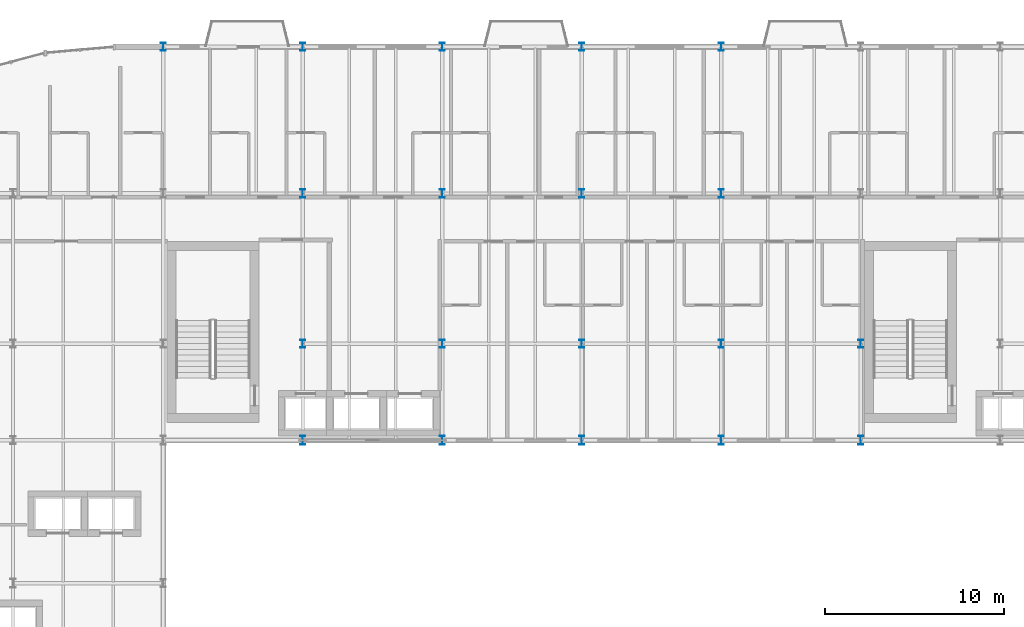
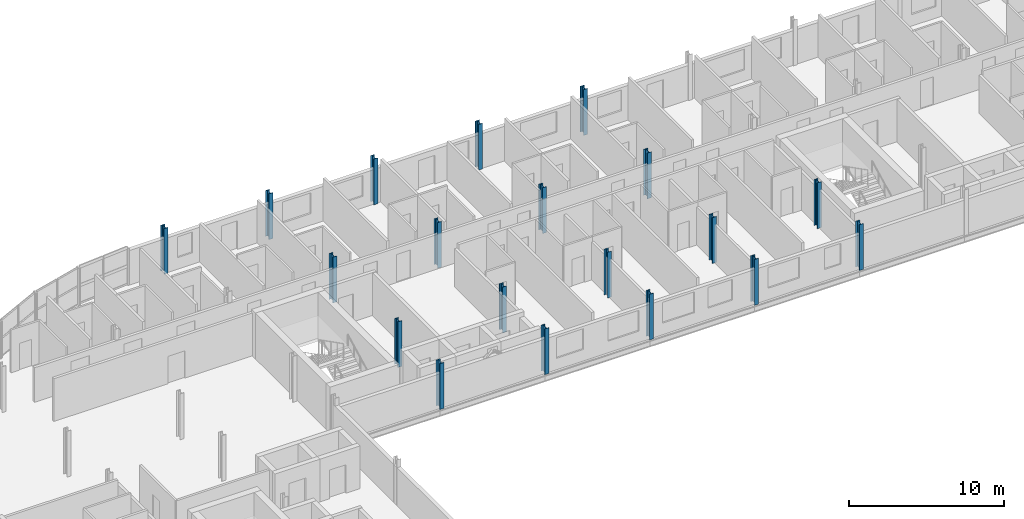
# One storey, part 2 of 34: 19 columns.
"""IFC4 building model written with IfcOpenShell, lengths in metres."""

from ifc_helpers import new_model, si_unit, direction, frame, origin, origin_2d, place, context, subcontext, project, spatial, i_section, extrude, material, material_profile, profile_set, type_object, element, save


model = new_model("IFC4")

# Units and contexts
model_context = context("Model", 3, precision=1e-05, world=origin(), true_north=direction((0.0, 1.0)))
body_context = subcontext(model_context, "Body", "Model", "MODEL_VIEW")
ifc_project = project(units=[si_unit("LENGTHUNIT", "METRE"), si_unit("AREAUNIT", "SQUARE_METRE"), si_unit("VOLUMEUNIT", "CUBIC_METRE"), si_unit("PLANEANGLEUNIT", "RADIAN"), si_unit("MASSUNIT", "GRAM", prefix="KILO")], contexts=[model_context])

# Site, building, storey
site_placement = place(None, origin())
site = spatial("IfcSite", under=ifc_project, at=site_placement, CompositionType="ELEMENT")
building_placement = place(site_placement, origin())
building = spatial("IfcBuilding", under=site, at=building_placement, Name="Sefraquen Railside Congress Hotel", CompositionType="ELEMENT")
storey_placement = place(building_placement, frame((0.0, 0.0, 31.800048828125)))
storey = spatial("IfcBuildingStorey", under=building, at=storey_placement, Name="L07", CompositionType="ELEMENT", Elevation=31.800048828125)

# Columns
ifc_material = material(Name="Steel S355JR", Category="steel")
ifc_material_profile_1 = material_profile(ifc_material, i_section(OverallWidth=0.300048828125, OverallDepth=0.449951171875, WebThickness=0.013916015625, FlangeThickness=0.02587890625, FilletRadius=0.027099609375, at=origin_2d()), Name="HEB 450")
ifc_profile_set_1 = profile_set([ifc_material_profile_1], Name="Steel S355JR")
column_type_1 = type_object("IfcColumnType", Name="TC-HEB-450", PredefinedType="COLUMN", material=ifc_profile_set_1)
for number, where, z_axis, x_axis, name in (
    (1, (25.199951171875, 118.0, 0.0), (0.0, 0.0, 1.0), (1.0, 0.0, 0.0), "Structural column 4-Q L07"),
    (2, (33.0, 101.39990234375, 0.0), (0.0, 0.0, 1.0), (1.0, 0.0, 0.0), "Structural column 5-N L07"),
    (3, (33.0, 118.0, 0.0), (0.0, 0.0, 1.0), (1.0, 0.0, 0.0), "Structural column 5-Q L07"),
    (4, (40.800048828125, 101.39990234375, 0.0), (0.0, 0.0, 1.0), (1.0, 0.0, 0.0), "Structural column 6-N L07"),
    (5, (40.800048828125, 118.0, 0.0), (0.0, 0.0, 1.0), (1.0, 0.0, 0.0), "Structural column 6-Q L07"),
    (6, (48.60009765625, 101.39990234375, 0.0), (0.0, 0.0, 1.0), (1.0, 0.0, 0.0), "Structural column 7-N L07"),
    (7, (48.60009765625, 118.0, 0.0), (0.0, 0.0, 1.0), (1.0, 0.0, 0.0), "Structural column 7-Q L07"),
    (8, (56.39990234375, 101.39990234375, 0.0), (0.0, 0.0, 1.0), (1.0, 0.0, 0.0), "Structural column 8-N L07"),
    (9, (56.39990234375, 118.0, 0.0), (0.0, 0.0, 1.0), (1.0, 0.0, 0.0), "Structural column 8-Q L07"),
    (10, (64.199951171875, 101.39990234375, 0.0), (0.0, 0.0, 1.0), (1.0, 0.0, 0.0), "Structural column 9-N L07"),
):
    element("IfcColumn", number, at=place(storey_placement, frame(where, z_axis=z_axis, x_axis=x_axis)), inside=storey, type_object=column_type_1, Name=name, PredefinedType="COLUMN", context=body_context, shape_type="SweptSolid", body=[
        extrude(i_section(OverallWidth=0.300048828125, OverallDepth=0.449951171875, WebThickness=0.013916015625, FlangeThickness=0.02587890625, FilletRadius=0.027099609375, at=origin_2d()), origin(), (0.0, 0.0, 1.0), 3.599853515625),
    ])
ifc_material_profile_2 = material_profile(ifc_material, i_section(OverallWidth=0.300048828125, OverallDepth=0.5, WebThickness=0.014404296875, FlangeThickness=0.028076171875, FilletRadius=0.027099609375, at=origin_2d()), Name="HEB 500")
ifc_profile_set_2 = profile_set([ifc_material_profile_2], Name="Steel S355JR")
column_type_2 = type_object("IfcColumnType", Name="TC-HEB-500", PredefinedType="COLUMN", material=ifc_profile_set_2)
for number, where, z_axis, x_axis, name in (
    (11, (33.0, 96.0, 0.0), (0.0, 0.0, 1.0), (1.0, 0.0, 0.0), "Structural column 5-M L07"),
    (12, (33.0, 109.800048828125, 0.0), (0.0, 0.0, 1.0), (1.0, 0.0, 0.0), "Structural column 5-P L07"),
    (13, (40.800048828125, 96.0, 0.0), (0.0, 0.0, 1.0), (1.0, 0.0, 0.0), "Structural column 6-M L07"),
    (14, (40.800048828125, 109.800048828125, 0.0), (0.0, 0.0, 1.0), (1.0, 0.0, 0.0), "Structural column 6-P L07"),
    (15, (48.60009765625, 96.0, 0.0), (0.0, 0.0, 1.0), (1.0, 0.0, 0.0), "Structural column 7-M L07"),
    (16, (48.60009765625, 109.800048828125, 0.0), (0.0, 0.0, 1.0), (1.0, 0.0, 0.0), "Structural column 7-P L07"),
    (17, (56.39990234375, 96.0, 0.0), (0.0, 0.0, 1.0), (1.0, 0.0, 0.0), "Structural column 8-M L07"),
    (18, (56.39990234375, 109.800048828125, 0.0), (0.0, 0.0, 1.0), (1.0, 0.0, 0.0), "Structural column 8-P L07"),
    (19, (64.199951171875, 96.0, 0.0), (0.0, 0.0, 1.0), (1.0, 0.0, 0.0), "Structural column 9-M L07"),
):
    element("IfcColumn", number, at=place(storey_placement, frame(where, z_axis=z_axis, x_axis=x_axis)), inside=storey, type_object=column_type_2, Name=name, PredefinedType="COLUMN", context=body_context, shape_type="SweptSolid", body=[
        extrude(i_section(OverallWidth=0.300048828125, OverallDepth=0.5, WebThickness=0.014404296875, FlangeThickness=0.028076171875, FilletRadius=0.027099609375, at=origin_2d()), origin(), (0.0, 0.0, 1.0), 3.599853515625),
    ])

save(model, "model.ifc")
